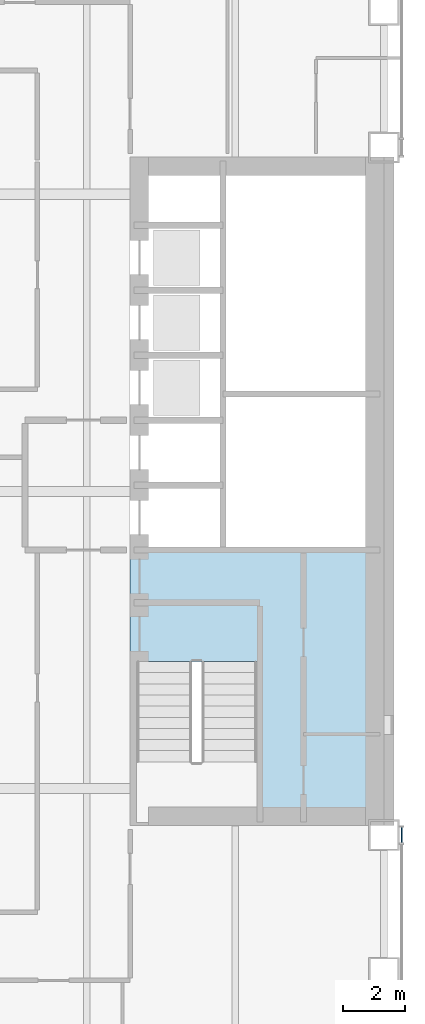
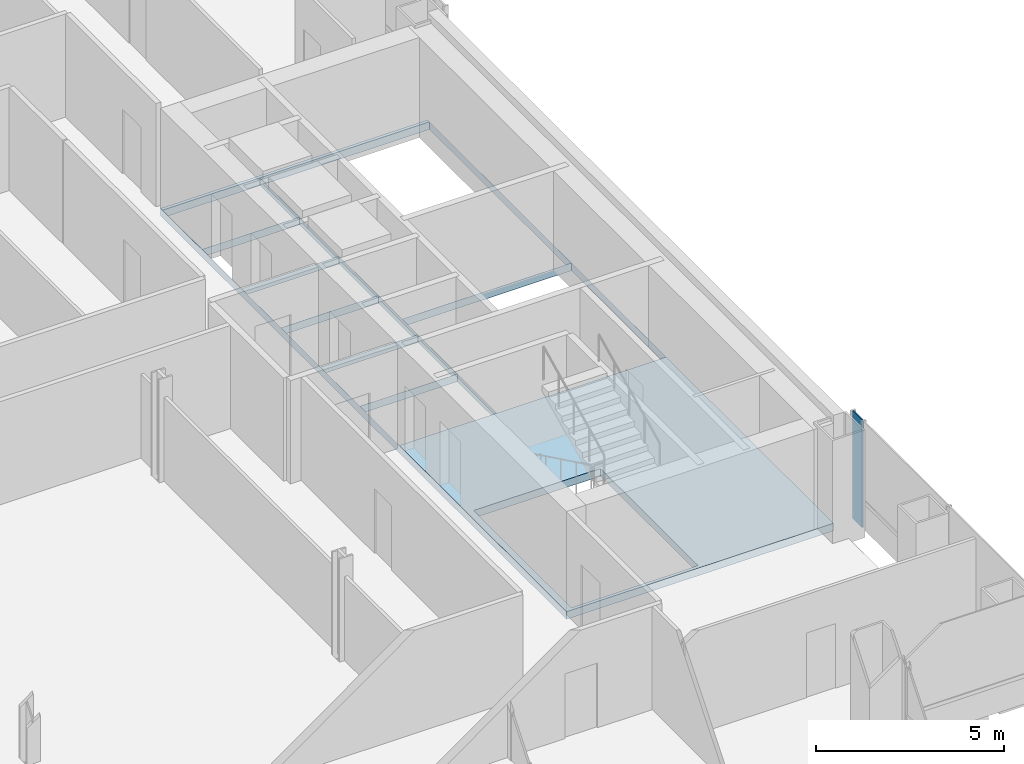
# One storey, part 14 of 21: 1 plate, 1 slab, 1 element without a shape of its own.
"""IFC4 building model written with IfcOpenShell, lengths in metres."""

import ifcopenshell
import ifcopenshell.guid

model = None  # the IFC model being written
_history = None  # IfcOwnerHistory: only IFC2X3 demands one
_inside = {}  # id of a spatial element -> (the spatial element, [elements in it])
_under = {}  # id of a project, library or spatial element -> (it, [spatial elements below it])
_declared = {}  # id of a project -> (the project, [libraries it declares])
_typed = {}  # id of a type object -> (the type object, [elements of that type])
_made_of = {}  # id of a material, layer set ... -> (it, [elements and type objects made of it])


def new_model(schema):
    """Start an empty IFC model of exactly this schema.

    Asked for "IFC4X3", IfcOpenShell would pick the latest addendum, in which some entities
    have other attributes; the version numbers below select the first issue.
    IFC2X3 requires an IfcOwnerHistory on every rooted entity: one is made here for all.
    """
    global model, _history
    if schema == "IFC4X3":
        model = ifcopenshell.file(schema_version=(4, 3, 0, 0))
    else:
        model = ifcopenshell.file(schema=schema)
    _inside.clear()
    _under.clear()
    _declared.clear()
    _typed.clear()
    _made_of.clear()
    _history = None
    if model.schema == "IFC2X3":
        org = make("IfcOrganization", Name="unknown")
        user = make(
            "IfcPersonAndOrganization",
            ThePerson=make("IfcPerson", FamilyName="unknown"),
            TheOrganization=org,
        )
        app = make(
            "IfcApplication",
            ApplicationDeveloper=org,
            Version="unknown",
            ApplicationFullName="unknown",
            ApplicationIdentifier="unknown",
        )
        _history = make(
            "IfcOwnerHistory",
            OwningUser=user,
            OwningApplication=app,
            ChangeAction="ADDED",
            CreationDate=0,
        )
    return model


def make(cls, **values):
    """One entity of the class cls with the attributes given. An attribute that is None is left unset."""
    return model.create_entity(
        cls, **{name: value for name, value in values.items() if value is not None}
    )


def rooted(cls, **values):
    """An entity with a GlobalId (a new one), such as an element, a storey or a relation."""
    return make(cls, GlobalId=ifcopenshell.guid.new(), OwnerHistory=_history, **values)


def si_unit(unit_type, name, prefix=None):
    """IfcSIUnit, for example si_unit("LENGTHUNIT", "METRE", prefix="MILLI")."""
    return make("IfcSIUnit", UnitType=unit_type, Prefix=prefix, Name=name)


def assignment(units):
    """IfcUnitAssignment: the units of a project."""
    return None if units is None else make("IfcUnitAssignment", Units=units)


def point(xyz):
    """IfcCartesianPoint."""
    return None if xyz is None else make("IfcCartesianPoint", Coordinates=xyz)


def direction(xyz):
    """IfcDirection."""
    return None if xyz is None else make("IfcDirection", DirectionRatios=xyz)


def frame(location, z_axis=None, x_axis=None):
    """IfcAxis2Placement3D, a coordinate frame: its origin and axes. An axis left out is left unset."""
    return make(
        "IfcAxis2Placement3D",
        Location=point(location),
        Axis=direction(z_axis),
        RefDirection=direction(x_axis),
    )


def frame_2d(location, x_axis=None):
    """IfcAxis2Placement2D, a coordinate frame in the plane: its origin and x axis."""
    return make(
        "IfcAxis2Placement2D", Location=point(location), RefDirection=direction(x_axis)
    )


def origin():
    """The frame at (0, 0, 0) with its axes left unset."""
    return frame((0.0, 0.0, 0.0))


def origin_2d():
    """The frame at (0, 0) in the plane with its x axis left unset."""
    return frame_2d((0.0, 0.0))


def place(relative_to, where):
    """IfcLocalPlacement: puts the frame where relative to a parent placement (None: the world)."""
    return make(
        "IfcLocalPlacement", PlacementRelTo=relative_to, RelativePlacement=where
    )


def context(
    kind, dimensions, precision=None, world=None, true_north=None, identifier=None
):
    """IfcGeometricRepresentationContext, for example the 3D "Model" context."""
    return make(
        "IfcGeometricRepresentationContext",
        ContextIdentifier=identifier,
        ContextType=kind,
        CoordinateSpaceDimension=dimensions,
        Precision=precision,
        WorldCoordinateSystem=world,
        TrueNorth=true_north,
    )


def subcontext(parent, identifier, kind, view, scale=None):
    """IfcGeometricRepresentationSubContext, for example "Body" below "Model"."""
    return make(
        "IfcGeometricRepresentationSubContext",
        ContextIdentifier=identifier,
        ContextType=kind,
        ParentContext=parent,
        TargetScale=scale,
        TargetView=view,
    )


def project(units=None, contexts=None):
    """IfcProject with its units and contexts."""
    return rooted(
        "IfcProject",
        Name="project",
        RepresentationContexts=contexts,
        UnitsInContext=assignment(units),
    )


def spatial(cls, under=None, at=None, **own):
    """A site, building, storey or space (cls), placed at a placement, below another one or the project."""
    s = rooted(cls, ObjectPlacement=at, **own)
    if under is not None:
        _under.setdefault(under.id(), (under, []))[1].append(s)
    return s


def polyline(points):
    """IfcPolyline through the points."""
    return make("IfcPolyline", Points=[point(p) for p in points])


def profile(cls, at=None, kind="AREA", **sizes):
    """A parametric profile (cls). Its sizes go by their IFC names, for example OverallWidth=200.0."""
    return make(cls, ProfileType=kind, Position=at, **sizes)


def rectangle(**sizes):
    """IfcRectangleProfileDef."""
    return profile("IfcRectangleProfileDef", **sizes)


def outline(outer, holes=None, kind="AREA"):
    """IfcArbitraryClosedProfileDef: a profile drawn as a closed curve; with holes, ...WithVoids."""
    if holes is None:
        return make("IfcArbitraryClosedProfileDef", ProfileType=kind, OuterCurve=outer)
    return make(
        "IfcArbitraryProfileDefWithVoids",
        ProfileType=kind,
        OuterCurve=outer,
        InnerCurves=holes,
    )


def extrude(swept, where, along, depth):
    """IfcExtrudedAreaSolid: the profile swept, set in the frame where, extruded along a direction by depth."""
    return make(
        "IfcExtrudedAreaSolid",
        SweptArea=swept,
        Position=where,
        ExtrudedDirection=direction(along),
        Depth=depth,
    )


def shape(context_of_items, identifier, shape_type, items):
    """IfcShapeRepresentation: the items that make up one representation, for example the "Body"."""
    return make(
        "IfcShapeRepresentation",
        ContextOfItems=context_of_items,
        RepresentationIdentifier=identifier,
        RepresentationType=shape_type,
        Items=items,
    )


def material(Name=None, Category=None):
    """IfcMaterial."""
    return make("IfcMaterial", Name=Name, Category=Category)


def layer(
    of_material, thickness, ventilated=None, Name=None, Category=None, Priority=None
):
    """IfcMaterialLayer: one layer of a wall or slab, of a material (None: an air gap)."""
    return make(
        "IfcMaterialLayer",
        Material=of_material,
        LayerThickness=thickness,
        IsVentilated=ventilated,
        Name=Name,
        Category=Category,
        Priority=Priority,
    )


def layer_set(layers, Name=None):
    """IfcMaterialLayerSet."""
    return make("IfcMaterialLayerSet", MaterialLayers=layers, LayerSetName=Name)


def made_of(thing, what):
    """Note that an element or type object is made of a material, layer set ...; save() writes the relation."""
    if what is not None:
        _made_of.setdefault(what.id(), (what, []))[1].append(thing)
    return thing


def type_object(cls, material=None, **own):
    """A type object (cls), such as IfcWallType, which elements share."""
    return made_of(rooted(cls, **own), material)


def element(
    cls,
    number,
    at=None,
    inside=None,
    cuts=None,
    type_object=None,
    material=None,
    context=None,
    identifier="Body",
    shape_type=None,
    held_by="IfcProductDefinitionShape",
    body=None,
    shapes=None,
    **own,
):
    """One element of the class cls, such as IfcWall. Its Tag is "e" and its number.

    at: its placement. inside: the storey or other place that contains it. cuts: it is an
    opening in that element (IfcRelVoidsElement). A single representation is given by context,
    identifier, shape_type and body (its items); several are given by shapes. held_by: the class
    of the entity that holds the representations. save() writes the other relations.
    """
    e = rooted(cls, Tag="e%d" % number, ObjectPlacement=at, **own)
    if body is not None:
        shapes = [shape(context, identifier, shape_type, body)]
    if shapes is not None:
        e.Representation = make(held_by, Representations=shapes)
    if inside is not None:
        _inside.setdefault(inside.id(), (inside, []))[1].append(e)
    if cuts is not None:
        rooted(
            "IfcRelVoidsElement", RelatingBuildingElement=cuts, RelatedOpeningElement=e
        )
    if type_object is not None:
        _typed.setdefault(type_object.id(), (type_object, []))[1].append(e)
    return made_of(e, material)


def aggregate(whole, parts):
    """IfcRelAggregates: a whole, such as a stair, and the parts it consists of."""
    return rooted("IfcRelAggregates", RelatingObject=whole, RelatedObjects=parts)


def save(model, path):
    """Write the relations noted so far, then the file.

    IfcRelAggregates (storeys below a building ...), IfcRelContainedInSpatialStructure (elements
    in a storey), IfcRelDefinesByType, IfcRelAssociatesMaterial and IfcRelDeclares: one each for
    every whole, place, type object, material and project.
    """
    for whole, parts in _under.values():
        aggregate(whole, parts)
    for where, things in _inside.values():
        rooted(
            "IfcRelContainedInSpatialStructure",
            RelatedElements=things,
            RelatingStructure=where,
        )
    for kind, things in _typed.values():
        rooted("IfcRelDefinesByType", RelatedObjects=things, RelatingType=kind)
    for what, things in _made_of.values():
        rooted("IfcRelAssociatesMaterial", RelatedObjects=things, RelatingMaterial=what)
    for by, libraries in _declared.values():
        rooted("IfcRelDeclares", RelatingContext=by, RelatedDefinitions=libraries)
    model.write(path)


model = new_model("IFC4")

# Units and contexts
model_context = context("Model", 3, precision=1e-05, world=origin(), true_north=direction((0.0, 1.0)))
body_context = subcontext(model_context, "Body", "Model", "MODEL_VIEW")
ifc_project = project(units=[si_unit("LENGTHUNIT", "METRE"), si_unit("AREAUNIT", "SQUARE_METRE"), si_unit("VOLUMEUNIT", "CUBIC_METRE"), si_unit("PLANEANGLEUNIT", "RADIAN"), si_unit("MASSUNIT", "GRAM", prefix="KILO")], contexts=[model_context])

# Site, building, storey
site_placement = place(None, origin())
site = spatial("IfcSite", under=ifc_project, at=site_placement, CompositionType="ELEMENT")
building_placement = place(site_placement, origin())
building = spatial("IfcBuilding", under=site, at=building_placement, Name="Cobrizo Arcos Hotel Tower", CompositionType="ELEMENT")
storey_placement = place(building_placement, frame((0.0, 0.0, 42.5)))
storey = spatial("IfcBuildingStorey", under=building, at=storey_placement, Name="L08", CompositionType="ELEMENT", Elevation=42.5)

# Curtain wall, plate
ifc_material_1 = material(Name="Aluminium 6063-T6 anodised bronze", Category="aluminium")
curtain_wall_type = type_object("IfcCurtainWallType", Name="CW-A guest facade", PredefinedType="NOTDEFINED", material=ifc_material_1)
curtain_wall_placement = place(storey_placement, origin())
curtain_wall = element("IfcCurtainWall", 1, at=curtain_wall_placement, inside=storey, type_object=curtain_wall_type, Name="CW-A L08 E face", PredefinedType="NOTDEFINED")
ifc_material_2 = material(Name="Aluminium composite panel pale metal", Category="aluminium")
ifc_layer_1 = layer(ifc_material_2, 0.0400390625)
ifc_layer_set_1 = layer_set([ifc_layer_1], Name="CW-A spandrel panel")
plate_type = type_object("IfcPlateType", Name="CW-A spandrel panel", PredefinedType="CURTAIN_PANEL", material=ifc_layer_set_1)
plate_placement = place(storey_placement, frame((24.574951171875, -11.109375, 0.0), z_axis=(0.0, 0.0, 1.0), x_axis=(0.0, 1.0, 0.0)))
plate = element("IfcPlate", 2, at=plate_placement, type_object=plate_type, Name="CW-A spandrel panel 412", PredefinedType="CURTAIN_PANEL", context=body_context, shape_type="SweptSolid", body=[
    extrude(rectangle(XDim=0.498779296875, YDim=0.0400390625, at=origin_2d()), origin(), (0.0, 0.0, 1.0), 3.5),
])
aggregate(curtain_wall, [plate])

# Slab
ifc_material_3 = material(Name="Concrete f'c 60 MPa", Category="concrete")
ifc_layer_2 = layer(ifc_material_3, 0.25)
ifc_layer_set_2 = layer_set([ifc_layer_2], Name="RC core floor slab 250 f'c 60")
slab_type = type_object("IfcSlabType", Name="RC core floor slab 250 f'c 60", PredefinedType="FLOOR", material=ifc_layer_set_2)
slab_placement = place(storey_placement, frame((0.0, 0.0, -0.25)))
element("IfcSlab", 3, at=slab_placement, inside=storey, type_object=slab_type, Name="Core floor slab CS3, east core, L08", PredefinedType="FLOOR", context=body_context, shape_type="SweptSolid", body=[
    extrude(outline(polyline([(15.800048828125, 10.800048828125), (24.0, 10.800048828125), (24.0, -10.800048828125), (15.800048828125, -10.800048828125), (15.800048828125, 10.800048828125)]), holes=[polyline([(19.89794921875, -10.697998046875), (19.89794921875, -5.501953125), (16.001953125, -5.501953125), (16.001953125, -10.697998046875), (19.89794921875, -10.697998046875)]), polyline([(18.798095703125, 0.197998046875), (15.802001953125, 0.197998046875), (15.802001953125, -1.89794921875), (18.798095703125, -1.89794921875), (18.798095703125, 0.197998046875)]), polyline([(23.998046875, 3.137939453125), (18.802001953125, 3.137939453125), (18.802001953125, -1.89794921875), (23.998046875, -1.89794921875), (23.998046875, 3.137939453125)]), polyline([(18.798095703125, 2.298095703125), (15.802001953125, 2.298095703125), (15.802001953125, 0.201904296875), (18.798095703125, 0.201904296875), (18.798095703125, 2.298095703125)]), polyline([(18.798095703125, 4.39794921875), (15.802001953125, 4.39794921875), (15.802001953125, 2.302001953125), (18.798095703125, 2.302001953125), (18.798095703125, 4.39794921875)]), polyline([(18.798095703125, 6.498046875), (15.802001953125, 6.498046875), (15.802001953125, 4.402099609375), (18.798095703125, 4.402099609375), (18.798095703125, 6.498046875)]), polyline([(23.998046875, 10.697998046875), (18.802001953125, 10.697998046875), (18.802001953125, 3.14208984375), (23.998046875, 3.14208984375), (23.998046875, 10.697998046875)]), polyline([(18.798095703125, 8.597900390625), (15.802001953125, 8.597900390625), (15.802001953125, 6.501953125), (18.798095703125, 6.501953125), (18.798095703125, 8.597900390625)]), polyline([(18.798095703125, 10.697998046875), (15.802001953125, 10.697998046875), (15.802001953125, 8.60205078125), (18.798095703125, 8.60205078125), (18.798095703125, 10.697998046875)])]), origin(), (0.0, 0.0, 1.0), 0.25),
])

save(model, "model.ifc")
